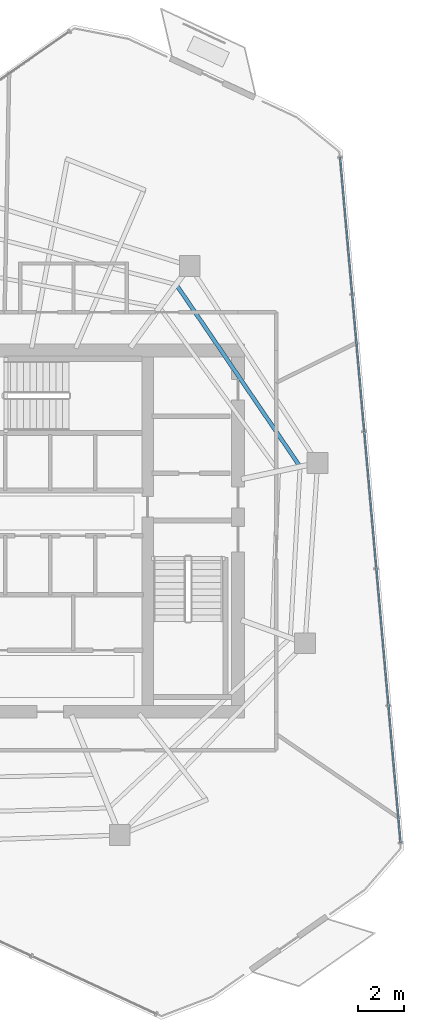
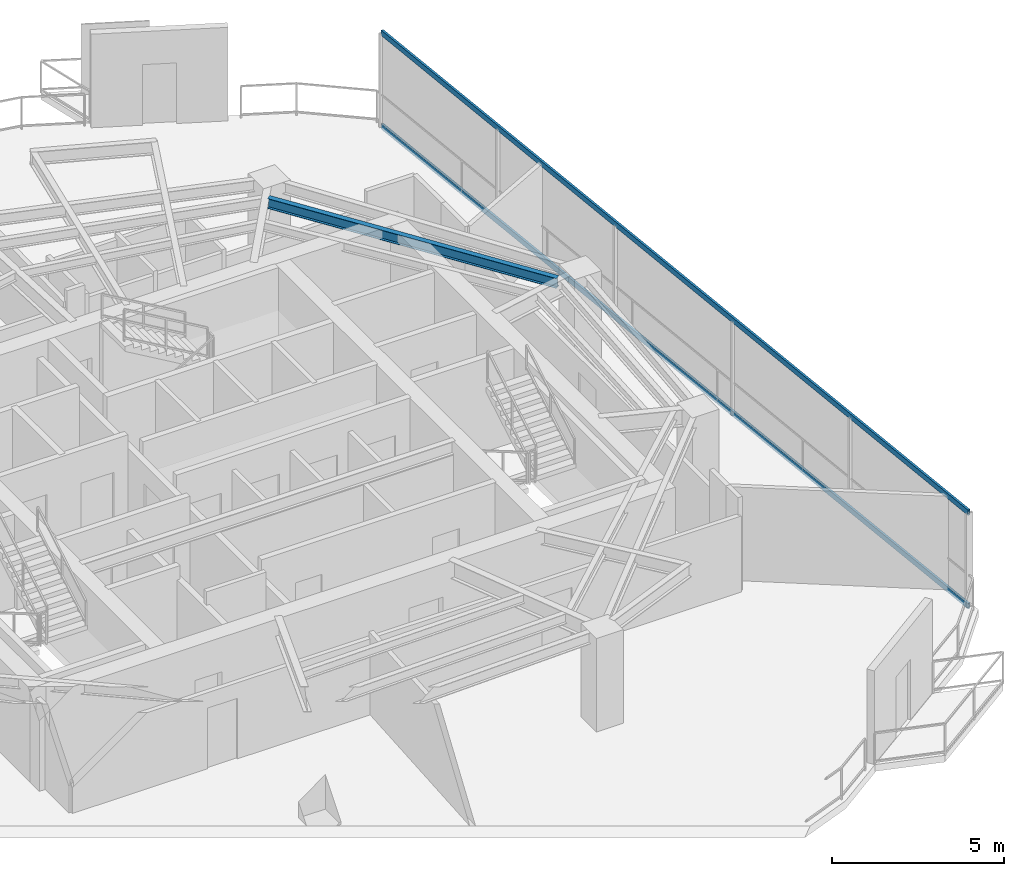
# One storey, part 10 of 20: 2 members, 1 beam, 1 element without a shape of its own.
"""IFC4 building model written with IfcOpenShell, lengths in metres."""

from ifc_helpers import new_model, si_unit, direction, frame, origin, origin_2d, place, context, subcontext, project, spatial, hollow_rectangle, i_section, extrude, material, layer, layer_set, material_profile, profile_set, type_object, element, aggregate, save


model = new_model("IFC4")

# Units and contexts
model_context = context("Model", 3, precision=1e-05, world=origin(), true_north=direction((0.0, 1.0)))
body_context = subcontext(model_context, "Body", "Model", "MODEL_VIEW")
ifc_project = project(units=[si_unit("LENGTHUNIT", "METRE"), si_unit("AREAUNIT", "SQUARE_METRE"), si_unit("VOLUMEUNIT", "CUBIC_METRE"), si_unit("PLANEANGLEUNIT", "RADIAN"), si_unit("MASSUNIT", "GRAM", prefix="KILO")], contexts=[model_context])

# Site, building, storey
site_placement = place(None, origin())
site = spatial("IfcSite", under=ifc_project, at=site_placement, CompositionType="ELEMENT")
building_placement = place(site_placement, origin())
building = spatial("IfcBuilding", under=site, at=building_placement, Name="Qarnah Convention Tower", CompositionType="ELEMENT")
storey_placement = place(building_placement, frame((0.0, 0.0, 198.60009765625)))
storey = spatial("IfcBuildingStorey", under=building, at=storey_placement, Name="L53", CompositionType="ELEMENT", Elevation=198.60009765625)

# Beam
ifc_material_1 = material(Name="Structural steel S355JR", Category="steel")
ifc_material_profile_1 = material_profile(ifc_material_1, i_section(OverallWidth=0.172119140625, OverallDepth=0.35595703125, WebThickness=0.007080078125, FlangeThickness=0.011962890625, at=origin_2d()), Name="W360X51")
ifc_profile_set_1 = profile_set([ifc_material_profile_1], Name="Structural steel S355JR")
beam_type = type_object("IfcBeamType", Name="BM-JST-W360", PredefinedType="JOIST", material=ifc_profile_set_1)
beam_placement = place(storey_placement, frame((50.23291015625, 29.2548828125, 3.141845703125), z_axis=(-0.562374425421, 0.826882703672, 0.0), x_axis=(-0.826882703672, -0.562374425421, 0.0)))
element("IfcBeam", 1, at=beam_placement, inside=storey, type_object=beam_type, Name="L53 joist BM-L53-SJST-01", PredefinedType="JOIST", context=body_context, shape_type="SweptSolid", body=[
    extrude(i_section(OverallWidth=0.172119140625, OverallDepth=0.35595703125, WebThickness=0.007080078125, FlangeThickness=0.011962890625, at=origin_2d()), origin(), (0.0, 0.0, 1.0), 9.33154296875),
])

# Curtain wall, members
ifc_material_2 = material(Name="Tempered Low-E dark glass", Category="glass")
ifc_layer = layer(ifc_material_2, 0.174072265625)
ifc_layer_set = layer_set([ifc_layer], Name="Tempered Low-E dark glass")
curtain_wall_type = type_object("IfcCurtainWallType", Name="CWS-04", PredefinedType="NOTDEFINED", material=ifc_layer_set)
curtain_wall_placement = place(storey_placement, origin())
curtain_wall = element("IfcCurtainWall", 2, at=curtain_wall_placement, inside=storey, type_object=curtain_wall_type, Name="L53 unitised curtain wall CW-L53-F3", PredefinedType="NOTDEFINED")
ifc_material_3 = material(Name="Black anodised aluminium", Category="aluminium")
ifc_material_profile_2 = material_profile(ifc_material_3, hollow_rectangle(XDim=0.074951171875, YDim=0.18994140625, WallThickness=0.0048828125, at=origin_2d()), Name="TRN-75X190")
ifc_profile_set_2 = profile_set([ifc_material_profile_2], Name="Black anodised aluminium")
member_type = type_object("IfcMemberType", Name="TRN-T4", PredefinedType="USERDEFINED", material=ifc_profile_set_2)
member_1_placement = place(storey_placement, frame((52.011962890625, 42.5380859375, 0.0), z_axis=(0.087864787754, -0.996132410412, 0.0), x_axis=(0.996132410412, 0.087864787754, 0.0)))
member_1 = element("IfcMember", 3, at=member_1_placement, type_object=member_type, Name="CW-L53-F3 transom 1", ObjectType="TRANSOM", PredefinedType="USERDEFINED", context=body_context, shape_type="SweptSolid", body=[
    extrude(hollow_rectangle(XDim=0.074951171875, YDim=0.18994140625, WallThickness=0.0048828125, at=origin_2d()), origin(), (0.0, 0.0, 1.0), 29.7060546875),
])
member_2_placement = place(storey_placement, frame((52.011962890625, 42.5380859375, 3.31982421875), z_axis=(0.087864787754, -0.996132410412, 0.0), x_axis=(0.996132410412, 0.087864787754, 0.0)))
member_2 = element("IfcMember", 4, at=member_2_placement, type_object=member_type, Name="CW-L53-F3 transom 2", ObjectType="TRANSOM", PredefinedType="USERDEFINED", context=body_context, shape_type="SweptSolid", body=[
    extrude(hollow_rectangle(XDim=0.074951171875, YDim=0.18994140625, WallThickness=0.0048828125, at=origin_2d()), origin(), (0.0, 0.0, 1.0), 29.7060546875),
])
aggregate(curtain_wall, [member_1, member_2])

save(model, "model.ifc")
